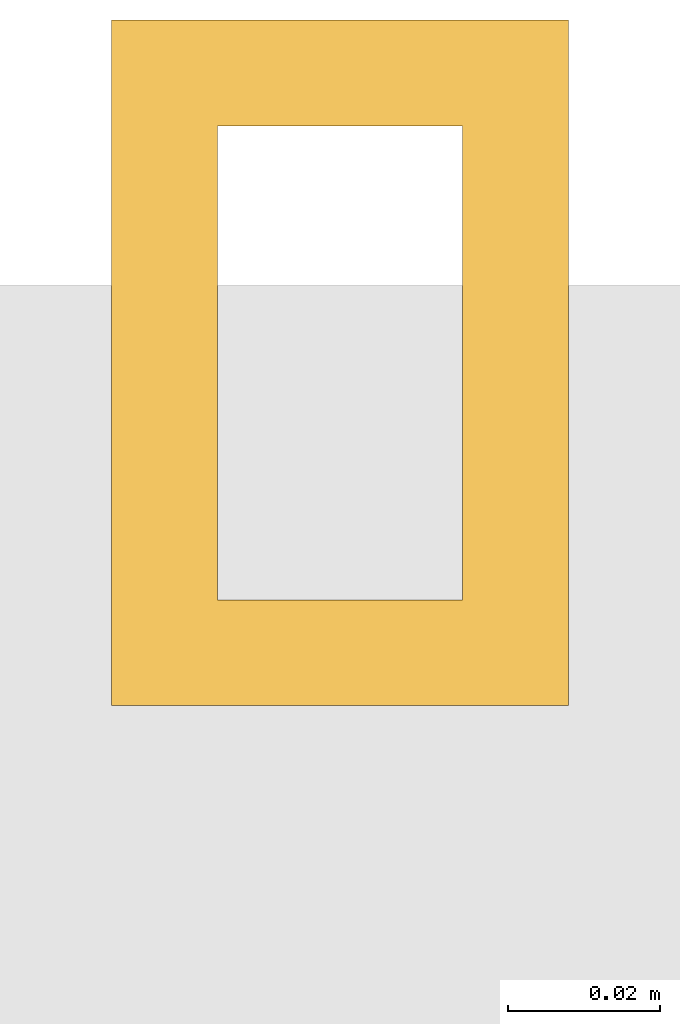
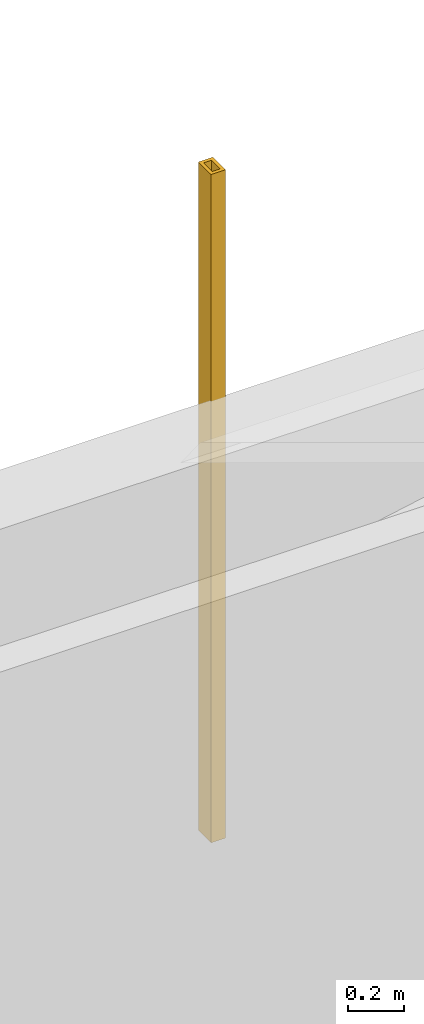
# One storey, part 28 of 28: 1 shading device.
"""IFC4 building model written with IfcOpenShell, lengths in metres."""

from ifc_helpers import new_model, si_unit, direction, frame, origin, origin_2d, place, context, subcontext, project, spatial, hollow_rectangle, extrude, material, material_profile, profile_set, type_object, element, save


model = new_model("IFC4")

# Units and contexts
model_context = context("Model", 3, precision=1e-05, world=origin(), true_north=direction((0.0, 1.0)))
body_context = subcontext(model_context, "Body", "Model", "MODEL_VIEW")
ifc_project = project(units=[si_unit("LENGTHUNIT", "METRE"), si_unit("AREAUNIT", "SQUARE_METRE"), si_unit("VOLUMEUNIT", "CUBIC_METRE"), si_unit("PLANEANGLEUNIT", "RADIAN"), si_unit("MASSUNIT", "GRAM", prefix="KILO")], contexts=[model_context])

# Site, building, storey
site_placement = place(None, origin())
site = spatial("IfcSite", under=ifc_project, at=site_placement, CompositionType="ELEMENT")
building_placement = place(site_placement, origin())
building = spatial("IfcBuilding", under=site, at=building_placement, Name="Punatoya Terracotta Tower", CompositionType="ELEMENT")
storey_placement = place(building_placement, frame((0.0, 0.0, 93.0)))
storey = spatial("IfcBuildingStorey", under=building, at=storey_placement, Name="L21", CompositionType="ELEMENT", Elevation=93.0)

# Shading device
ifc_material = material(Name="Architectural Fired Terracotta", Category="masonry")
ifc_material_profile = material_profile(ifc_material, hollow_rectangle(XDim=0.06005859375, YDim=0.090087890625, WallThickness=0.013916015625, at=origin_2d()))
ifc_profile_set = profile_set([ifc_material_profile], Name="Architectural Fired Terracotta")
shading_device_type = type_object("IfcShadingDeviceType", Name="SHD-JALI-90", PredefinedType="JALOUSIE", material=ifc_profile_set)
shading_device_placement = place(storey_placement, frame((12.493408203125, 23.449951171875, 0.60009765625), z_axis=(0.0, 0.0, 1.0), x_axis=(1.0, 0.0, 0.0)))
element("IfcShadingDevice", 1, at=shading_device_placement, inside=storey, type_object=shading_device_type, Name="L21 Braced Bay Terracotta Jali Fin N1", PredefinedType="JALOUSIE", context=body_context, shape_type="SweptSolid", body=[
    extrude(hollow_rectangle(XDim=0.06005859375, YDim=0.090087890625, WallThickness=0.013916015625, at=origin_2d()), origin(), (0.0, 0.0, 1.0), 2.909912109375),
])

save(model, "model.ifc")
